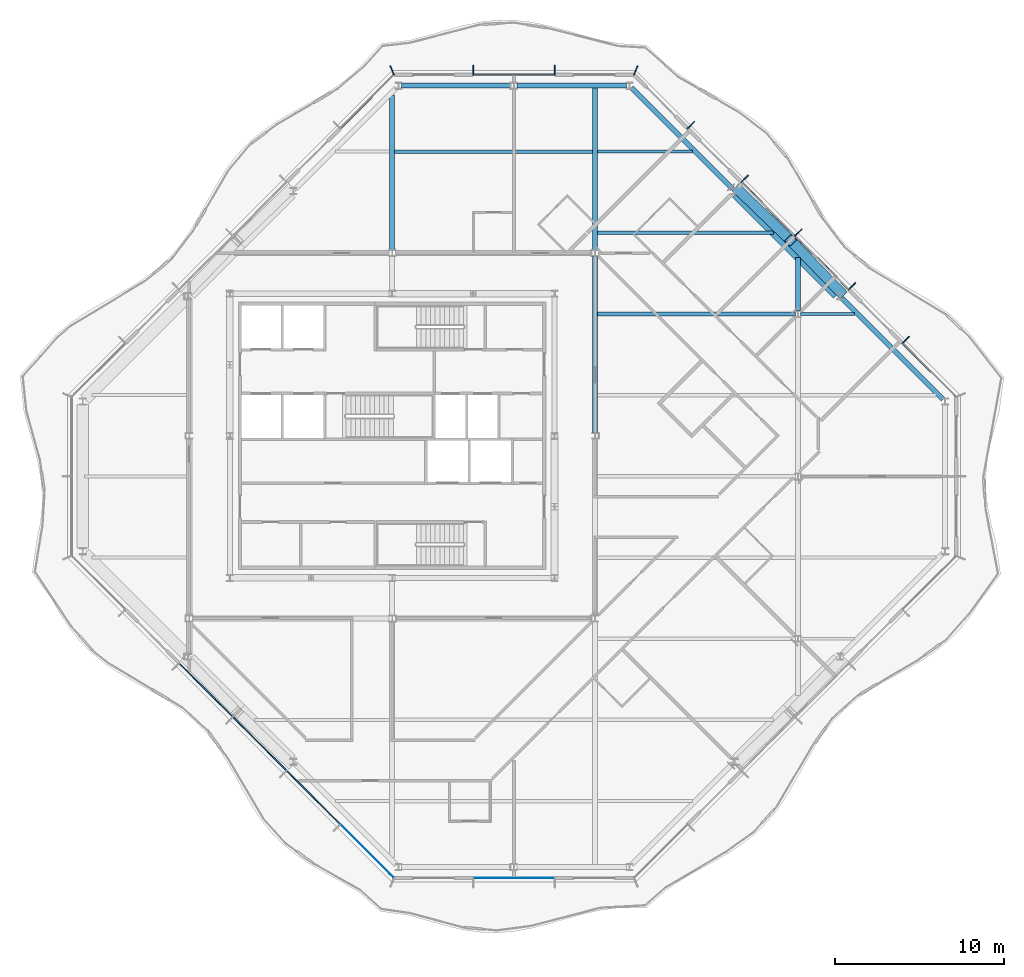
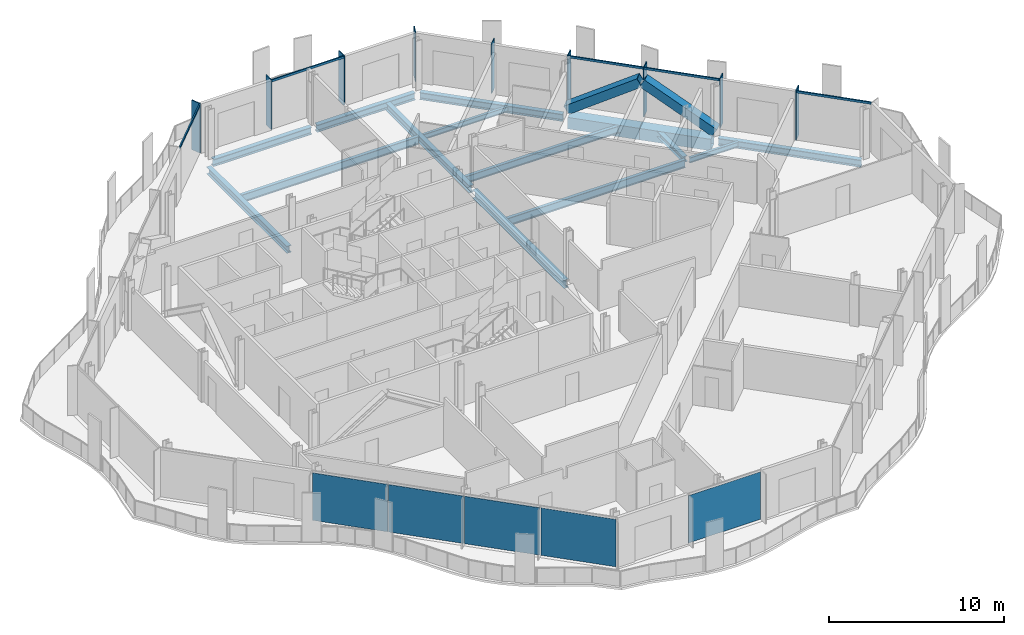
# One storey, part 5 of 16: 16 members, 15 beams, 5 plates, 5 elements without a shape of their own.
"""IFC4 building model written with IfcOpenShell, lengths in metres."""

from ifc_helpers import new_model, si_unit, direction, frame, origin, origin_2d, place, context, subcontext, project, spatial, rectangle, hollow_rectangle, i_section, extrude, material, layer, layer_set, material_profile, profile_set, type_object, element, aggregate, save


model = new_model("IFC4")

# Units and contexts
model_context = context("Model", 3, precision=1e-05, world=origin(), true_north=direction((0.0, 1.0)))
body_context = subcontext(model_context, "Body", "Model", "MODEL_VIEW")
ifc_project = project(units=[si_unit("LENGTHUNIT", "METRE"), si_unit("AREAUNIT", "SQUARE_METRE"), si_unit("VOLUMEUNIT", "CUBIC_METRE"), si_unit("PLANEANGLEUNIT", "RADIAN"), si_unit("MASSUNIT", "GRAM", prefix="KILO")], contexts=[model_context])

# Site, building, storey
site_placement = place(None, origin())
site = spatial("IfcSite", under=ifc_project, at=site_placement, CompositionType="ELEMENT")
building_placement = place(site_placement, origin())
building = spatial("IfcBuilding", under=site, at=building_placement, Name="Cairn Pilgrim Tower", CompositionType="ELEMENT")
storey_placement = place(building_placement, frame((0.0, 0.0, 277.800048828125)))
storey = spatial("IfcBuildingStorey", under=building, at=storey_placement, Name="L71", CompositionType="ELEMENT", Elevation=277.800048828125)

# Members
ifc_material_1 = material(Name="Structural steel S460M", Category="steel")
ifc_material_profile_1 = material_profile(ifc_material_1, hollow_rectangle(XDim=0.60009765625, YDim=0.60009765625, WallThickness=0.034912109375, at=origin_2d()), Name="BOX 600x600x35")
ifc_profile_set_1 = profile_set([ifc_material_profile_1], Name="Structural steel S460M")
member_type_1 = type_object("IfcMemberType", Name="BOX 600x600x35 BRACE", PredefinedType="BRACE", material=ifc_profile_set_1)
member_1_placement = place(storey_placement, frame((33.7919921875, 10.80908203125, 0.14990234375), z_axis=(-0.59249681125, 0.612514905413, 0.523233236048), x_axis=(-0.718754326239, -0.695264135788, 0.0)))
element("IfcMember", 1, at=member_1_placement, inside=storey, type_object=member_type_1, Name="XB-NE2-NE3-1", PredefinedType="BRACE", context=body_context, shape_type="SweptSolid", body=[
    extrude(hollow_rectangle(XDim=0.60009765625, YDim=0.60009765625, WallThickness=0.034912109375, at=origin_2d()), origin(), (0.0, 0.0, 1.0), 5.036865234375),
])
member_2_placement = place(storey_placement, frame((27.609130859375, 16.9921875, 0.14990234375), z_axis=(0.612497315066, -0.592528264357, 0.523218209713), x_axis=(0.695293517132, 0.718725903967, 0.0)))
element("IfcMember", 2, at=member_2_placement, inside=storey, type_object=member_type_1, Name="XB-NE2-NE3-2", PredefinedType="BRACE", context=body_context, shape_type="SweptSolid", body=[
    extrude(hollow_rectangle(XDim=0.60009765625, YDim=0.60009765625, WallThickness=0.034912109375, at=origin_2d()), origin(), (0.0, 0.0, 1.0), 5.037109375),
])

# Beams
ifc_material_2 = material(Name="Structural steel S355J2", Category="steel")
ifc_material_profile_2 = material_profile(ifc_material_2, hollow_rectangle(XDim=0.699951171875, YDim=0.800048828125, WallThickness=0.0400390625, at=origin_2d()), Name="BOX 700x800x40")
ifc_profile_set_2 = profile_set([ifc_material_profile_2], Name="Structural steel S355J2")
beam_type_1 = type_object("IfcBeamType", Name="BOX 700x800x40 RING GIRDER", PredefinedType="SPANDREL", material=ifc_profile_set_2)
for number, where, z_axis, x_axis, name in (
    (3, (33.548828125, 10.7783203125, -0.550048828125), (-0.707077865986, 0.707135695205, 0.0), (-0.707135695205, -0.707077865986, 0.0), "RG4-NE2-NE3-1"),
    (4, (30.563720703125, 13.763671875, -0.550048828125), (-0.707135695205, 0.707077865986, 0.0), (-0.707077865986, -0.707135695205, 0.0), "RG4-NE2-NE3-2"),
):
    element("IfcBeam", number, at=place(storey_placement, frame(where, z_axis=z_axis, x_axis=x_axis)), inside=storey, type_object=beam_type_1, Name=name, PredefinedType="SPANDREL", context=body_context, shape_type="SweptSolid", body=[
        extrude(hollow_rectangle(XDim=0.699951171875, YDim=0.800048828125, WallThickness=0.0400390625, at=origin_2d()), origin(), (0.0, 0.0, 1.0), 4.2216796875),
    ])

# Curtain wall, members
ifc_material_3 = material(Name="Aluminium alloy 6063-T6 bronze anodised with Bronze tinted laminated low-E glass 8+16+8.8", Category="aluminium")
curtain_wall_type = type_object("IfcCurtainWallType", Name="CROWN CURTAIN WALL", PredefinedType="NOTDEFINED", material=ifc_material_3)
curtain_wall_1_placement = place(storey_placement, origin())
curtain_wall_1 = element("IfcCurtainWall", 5, at=curtain_wall_1_placement, inside=storey, type_object=curtain_wall_type, Name="Crown Curtain Wall NE", PredefinedType="NOTDEFINED")
ifc_material_4 = material(Name="Aluminium alloy 6063-T6 bronze anodised", Category="aluminium")
ifc_material_profile_3 = material_profile(ifc_material_4, rectangle(XDim=0.60009765625, YDim=0.06005859375, at=origin_2d()), Name="FIN MULLION 60x600 BRONZE")
ifc_profile_set_3 = profile_set([ifc_material_profile_3], Name="Aluminium alloy 6063-T6 bronze anodised")
member_type_2 = type_object("IfcMemberType", Name="FIN MULLION 60x600 BRONZE", PredefinedType="MULLION", material=ifc_profile_set_3)
member_3_placement = place(storey_placement, frame((37.5654296875, 8.06298828125, 0.0), z_axis=(0.0, 0.0, 1.0), x_axis=(0.707106781187, 0.707106781187, 0.0)))
member_3 = element("IfcMember", 6, at=member_3_placement, type_object=member_type_2, Name="Fin mullion NE2", PredefinedType="MULLION", context=body_context, shape_type="SweptSolid", body=[
    extrude(rectangle(XDim=0.60009765625, YDim=0.06005859375, at=origin_2d()), origin(), (0.0, 0.0, 1.0), 3.449951171875),
])
member_4_placement = place(storey_placement, frame((34.3896484375, 11.238525390625, 0.0), z_axis=(0.0, 0.0, 1.0), x_axis=(0.707106781187, 0.707106781187, 0.0)))
member_4 = element("IfcMember", 7, at=member_4_placement, type_object=member_type_2, Name="Fin mullion NE3", PredefinedType="MULLION", context=body_context, shape_type="SweptSolid", body=[
    extrude(rectangle(XDim=0.60009765625, YDim=0.06005859375, at=origin_2d()), origin(), (0.0, 0.0, 1.0), 3.449951171875),
])
member_5_placement = place(storey_placement, frame((31.214111328125, 14.4140625, 0.0), z_axis=(0.0, 0.0, 1.0), x_axis=(0.707106781187, 0.707106781187, 0.0)))
member_5 = element("IfcMember", 8, at=member_5_placement, type_object=member_type_2, Name="Fin mullion NE4", PredefinedType="MULLION", context=body_context, shape_type="SweptSolid", body=[
    extrude(rectangle(XDim=0.60009765625, YDim=0.06005859375, at=origin_2d()), origin(), (0.0, 0.0, 1.0), 3.449951171875),
])
member_6_placement = place(storey_placement, frame((28.03857421875, 17.58984375, 0.0), z_axis=(0.0, 0.0, 1.0), x_axis=(0.707106781187, 0.707106781187, 0.0)))
member_6 = element("IfcMember", 9, at=member_6_placement, type_object=member_type_2, Name="Fin mullion NE5", PredefinedType="MULLION", context=body_context, shape_type="SweptSolid", body=[
    extrude(rectangle(XDim=0.60009765625, YDim=0.06005859375, at=origin_2d()), origin(), (0.0, 0.0, 1.0), 3.449951171875),
])
member_7_placement = place(storey_placement, frame((24.863037109375, 20.765380859375, 0.0), z_axis=(0.0, 0.0, 1.0), x_axis=(0.707106781187, 0.707106781187, 0.0)))
member_7 = element("IfcMember", 10, at=member_7_placement, type_object=member_type_2, Name="Fin mullion NE6", PredefinedType="MULLION", context=body_context, shape_type="SweptSolid", body=[
    extrude(rectangle(XDim=0.60009765625, YDim=0.06005859375, at=origin_2d()), origin(), (0.0, 0.0, 1.0), 3.449951171875),
])

curtain_wall_2_placement = place(storey_placement, origin())
curtain_wall_2 = element("IfcCurtainWall", 11, at=curtain_wall_2_placement, inside=storey, type_object=curtain_wall_type, Name="Crown Curtain Wall N", PredefinedType="NOTDEFINED")
member_8_placement = place(storey_placement, frame((21.599853515625, 23.99951171875, 0.0), z_axis=(0.0, 0.0, 1.0), x_axis=(0.382683432365, 0.923879532511, 0.0)))
member_8 = element("IfcMember", 12, at=member_8_placement, type_object=member_type_2, Name="Fin mullion N1", PredefinedType="MULLION", context=body_context, shape_type="SweptSolid", body=[
    extrude(rectangle(XDim=0.60009765625, YDim=0.06005859375, at=origin_2d()), origin(), (0.0, 0.0, 1.0), 3.449951171875),
])
member_9_placement = place(storey_placement, frame((16.800048828125, 24.02001953125, 0.0), z_axis=(0.0, 0.0, 1.0), x_axis=(0.0, 1.0, 0.0)))
member_9 = element("IfcMember", 13, at=member_9_placement, type_object=member_type_2, Name="Fin mullion N2", PredefinedType="MULLION", context=body_context, shape_type="SweptSolid", body=[
    extrude(rectangle(XDim=0.60009765625, YDim=0.06005859375, at=origin_2d()), origin(), (0.0, 0.0, 1.0), 3.449951171875),
])
member_10_placement = place(storey_placement, frame((12.0, 24.02001953125, 0.0), z_axis=(0.0, 0.0, 1.0), x_axis=(0.0, 1.0, 0.0)))
member_10 = element("IfcMember", 14, at=member_10_placement, type_object=member_type_2, Name="Fin mullion N3", PredefinedType="MULLION", context=body_context, shape_type="SweptSolid", body=[
    extrude(rectangle(XDim=0.60009765625, YDim=0.06005859375, at=origin_2d()), origin(), (0.0, 0.0, 1.0), 3.449951171875),
])

# Curtain wall, member
curtain_wall_3_placement = place(storey_placement, origin())
curtain_wall_3 = element("IfcCurtainWall", 15, at=curtain_wall_3_placement, inside=storey, type_object=curtain_wall_type, Name="Crown Curtain Wall NW", PredefinedType="NOTDEFINED")
member_11_placement = place(storey_placement, frame((7.2001953125, 23.99951171875, 0.0), z_axis=(0.0, 0.0, 1.0), x_axis=(-0.382683432365, 0.923879532511, 0.0)))
member_11 = element("IfcMember", 16, at=member_11_placement, type_object=member_type_2, Name="Fin mullion NW1", PredefinedType="MULLION", context=body_context, shape_type="SweptSolid", body=[
    extrude(rectangle(XDim=0.60009765625, YDim=0.06005859375, at=origin_2d()), origin(), (0.0, 0.0, 1.0), 3.449951171875),
])

# Beams
ifc_material_profile_4 = material_profile(ifc_material_2, i_section(OverallWidth=0.300048828125, OverallDepth=0.39990234375, WebThickness=0.013427734375, FlangeThickness=0.02392578125, FilletRadius=0.027099609375, at=origin_2d()), Name="HEB 400")
ifc_profile_set_4 = profile_set([ifc_material_profile_4], Name="Structural steel S355J2")
beam_type_2 = type_object("IfcBeamType", Name="HEB 400 GIRDER", PredefinedType="BEAM", material=ifc_profile_set_4)
beam_1_placement = place(storey_placement, frame((31.199951171875, 9.797119140625, -0.35009765625), z_axis=(0.0, 1.0, 0.0), x_axis=(-1.0, 0.0, 0.0)))
element("IfcBeam", 17, at=beam_1_placement, inside=storey, type_object=beam_type_2, Name="PG5-4", PredefinedType="BEAM", context=body_context, shape_type="SweptSolid", body=[
    extrude(i_section(OverallWidth=0.300048828125, OverallDepth=0.39990234375, WebThickness=0.013427734375, FlangeThickness=0.02392578125, FilletRadius=0.027099609375, at=origin_2d()), origin(), (0.0, 0.0, 1.0), 3.14794921875),
])
ifc_material_profile_5 = material_profile(ifc_material_2, i_section(OverallWidth=0.300048828125, OverallDepth=0.5, WebThickness=0.014404296875, FlangeThickness=0.028076171875, FilletRadius=0.027099609375, at=origin_2d()), Name="HEB 500")
ifc_profile_set_5 = profile_set([ifc_material_profile_5], Name="Structural steel S355J2")
beam_type_3 = type_object("IfcBeamType", Name="HEB 500 GIRDER", PredefinedType="BEAM", material=ifc_profile_set_5)
beam_2_placement = place(storey_placement, frame((7.199951171875, 13.39697265625, -0.400146484375), z_axis=(0.0, 1.0, 0.0), x_axis=(-1.0, 0.0, 0.0)))
element("IfcBeam", 18, at=beam_2_placement, inside=storey, type_object=beam_type_3, Name="PG3-2", PredefinedType="BEAM", context=body_context, shape_type="SweptSolid", body=[
    extrude(i_section(OverallWidth=0.300048828125, OverallDepth=0.5, WebThickness=0.014404296875, FlangeThickness=0.028076171875, FilletRadius=0.027099609375, at=origin_2d()), origin(), (0.0, 0.0, 1.0), 9.148193359375),
])
beam_3_placement = place(storey_placement, frame((19.199951171875, 13.39697265625, -0.400146484375), z_axis=(0.0, 1.0, 0.0), x_axis=(-1.0, 0.0, 0.0)))
element("IfcBeam", 19, at=beam_3_placement, inside=storey, type_object=beam_type_3, Name="PG4-4", PredefinedType="BEAM", context=body_context, shape_type="SweptSolid", body=[
    extrude(i_section(OverallWidth=0.300048828125, OverallDepth=0.5, WebThickness=0.014404296875, FlangeThickness=0.028076171875, FilletRadius=0.027099609375, at=origin_2d()), origin(), (0.0, 0.0, 1.0), 9.5830078125),
])
ifc_material_profile_6 = material_profile(ifc_material_2, i_section(OverallWidth=0.300048828125, OverallDepth=0.5, WebThickness=0.014404296875, FlangeThickness=0.028076171875, FilletRadius=0.027099609375, at=origin_2d()), Name="HEB 500")
ifc_profile_set_6 = profile_set([ifc_material_profile_6], Name="Structural steel S355J2")
beam_type_4 = type_object("IfcBeamType", Name="HEB 500 RING GIRDER", PredefinedType="SPANDREL", material=ifc_profile_set_6)
for number, where, z_axis, x_axis, name in (
    (20, (39.77294921875, 4.55419921875, -0.400146484375), (-0.707106781187, 0.707106781187, 0.0), (-0.707106781187, -0.707106781187, 0.0), "RG4-NE1-NE2"),
    (21, (27.324462890625, 17.002685546875, -0.400146484375), (-0.707106781187, 0.707106781187, 0.0), (-0.707106781187, -0.707106781187, 0.0), "RG4-NE3-N1"),
):
    element("IfcBeam", number, at=place(storey_placement, frame(where, z_axis=z_axis, x_axis=x_axis)), inside=storey, type_object=beam_type_4, Name=name, PredefinedType="SPANDREL", context=body_context, shape_type="SweptSolid", body=[
        extrude(i_section(OverallWidth=0.300048828125, OverallDepth=0.5, WebThickness=0.014404296875, FlangeThickness=0.028076171875, FilletRadius=0.027099609375, at=origin_2d()), origin(), (0.0, 0.0, 1.0), 8.443115234375),
    ])
beam_4_placement = place(storey_placement, frame((21.047607421875, 23.10009765625, -0.400146484375), z_axis=(-1.0, 0.0, 0.0), x_axis=(0.0, -1.0, 0.0)))
element("IfcBeam", 22, at=beam_4_placement, inside=storey, type_object=beam_type_4, Name="RG4-N1-N2", PredefinedType="SPANDREL", context=body_context, shape_type="SweptSolid", body=[
    extrude(i_section(OverallWidth=0.300048828125, OverallDepth=0.5, WebThickness=0.014404296875, FlangeThickness=0.028076171875, FilletRadius=0.027099609375, at=origin_2d()), origin(), (0.0, 0.0, 1.0), 6.468017578125),
])
beam_5_placement = place(storey_placement, frame((14.220458984375, 23.10009765625, -0.400146484375), z_axis=(-1.0, 0.0, 0.0), x_axis=(0.0, -1.0, 0.0)))
element("IfcBeam", 23, at=beam_5_placement, inside=storey, type_object=beam_type_4, Name="RG4-N2-NW1", PredefinedType="SPANDREL", context=body_context, shape_type="SweptSolid", body=[
    extrude(i_section(OverallWidth=0.300048828125, OverallDepth=0.5, WebThickness=0.014404296875, FlangeThickness=0.028076171875, FilletRadius=0.027099609375, at=origin_2d()), origin(), (0.0, 0.0, 1.0), 6.46826171875),
])
ifc_material_profile_7 = material_profile(ifc_material_2, i_section(OverallWidth=0.300048828125, OverallDepth=0.60009765625, WebThickness=0.015380859375, FlangeThickness=0.030029296875, FilletRadius=0.027099609375, at=origin_2d()), Name="HEB 600")
ifc_profile_set_7 = profile_set([ifc_material_profile_7], Name="Structural steel S355J2")
beam_type_5 = type_object("IfcBeamType", Name="HEB 600 GIRDER", PredefinedType="BEAM", material=ifc_profile_set_7)
beam_6_placement = place(storey_placement, frame((19.199951171875, 2.596923828125, -0.449951171875), z_axis=(0.0, 1.0, 0.0), x_axis=(-1.0, 0.0, 0.0)))
element("IfcBeam", 24, at=beam_6_placement, inside=storey, type_object=beam_type_5, Name="PG4-3", PredefinedType="BEAM", context=body_context, shape_type="SweptSolid", body=[
    extrude(i_section(OverallWidth=0.300048828125, OverallDepth=0.60009765625, WebThickness=0.015380859375, FlangeThickness=0.030029296875, FilletRadius=0.027099609375, at=origin_2d()), origin(), (0.0, 0.0, 1.0), 10.406005859375),
])
ifc_material_profile_8 = material_profile(ifc_material_2, i_section(OverallWidth=0.169921875, OverallDepth=0.360107421875, WebThickness=0.008056640625, FlangeThickness=0.0126953125, FilletRadius=0.01806640625, at=origin_2d()), Name="IPE 360")
ifc_profile_set_8 = profile_set([ifc_material_profile_8], Name="Structural steel S355J2")
beam_type_6 = type_object("IfcBeamType", Name="IPE 360 SECONDARY BEAM", PredefinedType="JOIST", material=ifc_profile_set_8)
beam_7_placement = place(storey_placement, frame((31.35009765625, 9.60009765625, -0.330078125), z_axis=(1.0, 0.0, 0.0), x_axis=(0.0, 1.0, 0.0)))
element("IfcBeam", 25, at=beam_7_placement, inside=storey, type_object=beam_type_6, Name="SB7-2", PredefinedType="JOIST", context=body_context, shape_type="SweptSolid", body=[
    extrude(i_section(OverallWidth=0.169921875, OverallDepth=0.360107421875, WebThickness=0.008056640625, FlangeThickness=0.0126953125, FilletRadius=0.01806640625, at=origin_2d()), origin(), (0.0, 0.0, 1.0), 3.195068359375),
])
beam_8_placement = place(storey_placement, frame((19.35009765625, 19.199951171875, -0.330078125), z_axis=(1.0, 0.0, 0.0), x_axis=(0.0, 1.0, 0.0)))
element("IfcBeam", 26, at=beam_8_placement, inside=storey, type_object=beam_type_6, Name="SB9-3", PredefinedType="JOIST", context=body_context, shape_type="SweptSolid", body=[
    extrude(i_section(OverallWidth=0.169921875, OverallDepth=0.360107421875, WebThickness=0.008056640625, FlangeThickness=0.0126953125, FilletRadius=0.01806640625, at=origin_2d()), origin(), (0.0, 0.0, 1.0), 5.594970703125),
])
ifc_material_profile_9 = material_profile(ifc_material_2, i_section(OverallWidth=0.199951171875, OverallDepth=0.5, WebThickness=0.01025390625, FlangeThickness=0.01611328125, FilletRadius=0.02099609375, at=origin_2d()), Name="IPE 500")
ifc_profile_set_9 = profile_set([ifc_material_profile_9], Name="Structural steel S355J2")
beam_type_7 = type_object("IfcBeamType", Name="IPE 500 SECONDARY BEAM", PredefinedType="JOIST", material=ifc_profile_set_9)
beam_9_placement = place(storey_placement, frame((19.35009765625, 14.39990234375, -0.400146484375), z_axis=(1.0, 0.0, 0.0), x_axis=(0.0, 1.0, 0.0)))
element("IfcBeam", 27, at=beam_9_placement, inside=storey, type_object=beam_type_7, Name="SB8-1", PredefinedType="JOIST", context=body_context, shape_type="SweptSolid", body=[
    extrude(i_section(OverallWidth=0.199951171875, OverallDepth=0.5, WebThickness=0.01025390625, FlangeThickness=0.01611328125, FilletRadius=0.02099609375, at=origin_2d()), origin(), (0.0, 0.0, 1.0), 10.39501953125),
])
ifc_material_profile_10 = material_profile(ifc_material_2, i_section(OverallWidth=0.2099609375, OverallDepth=0.550048828125, WebThickness=0.010986328125, FlangeThickness=0.01708984375, FilletRadius=0.02392578125, at=origin_2d()), Name="IPE 550")
ifc_profile_set_10 = profile_set([ifc_material_profile_10], Name="Structural steel S355J2")
beam_type_8 = type_object("IfcBeamType", Name="IPE 550 SECONDARY BEAM", PredefinedType="JOIST", material=ifc_profile_set_10)
for number, where, z_axis, x_axis, name in (
    (28, (19.35009765625, 9.60009765625, -0.425048828125), (1.0, 0.0, 0.0), (0.0, 1.0, 0.0), "SB7-1"),
    (29, (7.35009765625, 19.199951171875, -0.425048828125), (1.0, 0.0, 0.0), (0.0, 1.0, 0.0), "SB9-2"),
):
    element("IfcBeam", number, at=place(storey_placement, frame(where, z_axis=z_axis, x_axis=x_axis)), inside=storey, type_object=beam_type_8, Name=name, PredefinedType="JOIST", context=body_context, shape_type="SweptSolid", body=[
        extrude(i_section(OverallWidth=0.2099609375, OverallDepth=0.550048828125, WebThickness=0.010986328125, FlangeThickness=0.01708984375, FilletRadius=0.02392578125, at=origin_2d()), origin(), (0.0, 0.0, 1.0), 11.699951171875),
    ])

# Member
ifc_material_profile_11 = material_profile(ifc_material_4, rectangle(XDim=0.080078125, YDim=0.14990234375, at=origin_2d()), Name="TRANSOM 80x150 BRONZE")
ifc_profile_set_11 = profile_set([ifc_material_profile_11], Name="Aluminium alloy 6063-T6 bronze anodised")
member_type_3 = type_object("IfcMemberType", Name="TRANSOM 80x150 BRONZE", PredefinedType="USERDEFINED", material=ifc_profile_set_11)
member_12_placement = place(storey_placement, frame((40.521728515625, 4.724609375, 3.375), z_axis=(-0.707106781187, 0.707106781187, 0.0), x_axis=(-0.707106781187, -0.707106781187, 0.0)))
member_12 = element("IfcMember", 30, at=member_12_placement, type_object=member_type_3, Name="Transom NE1", ObjectType="TRANSOM", PredefinedType="USERDEFINED", context=body_context, shape_type="SweptSolid", body=[
    extrude(rectangle(XDim=0.080078125, YDim=0.14990234375, at=origin_2d()), origin(), (0.0, 0.0, 1.0), 4.421142578125),
])

member_13_placement = place(storey_placement, frame((34.177490234375, 11.06884765625, 3.375), z_axis=(-0.707106781187, 0.707106781187, 0.0), x_axis=(-0.707106781187, -0.707106781187, 0.0)))
member_13 = element("IfcMember", 31, at=member_13_placement, type_object=member_type_3, Name="Transom NE3", ObjectType="TRANSOM", PredefinedType="USERDEFINED", context=body_context, shape_type="SweptSolid", body=[
    extrude(rectangle(XDim=0.080078125, YDim=0.14990234375, at=origin_2d()), origin(), (0.0, 0.0, 1.0), 4.430908203125),
])

member_14_placement = place(storey_placement, frame((31.001953125, 14.244384765625, 3.375), z_axis=(-0.707079231393, 0.707134329907, 0.0), x_axis=(-0.707134329907, -0.707079231393, 0.0)))
member_14 = element("IfcMember", 32, at=member_14_placement, type_object=member_type_3, Name="Transom NE4", ObjectType="TRANSOM", PredefinedType="USERDEFINED", context=body_context, shape_type="SweptSolid", body=[
    extrude(rectangle(XDim=0.080078125, YDim=0.14990234375, at=origin_2d()), origin(), (0.0, 0.0, 1.0), 4.430908203125),
])

aggregate(curtain_wall_1, [member_3, member_4, member_5, member_6, member_7, member_12, member_13, member_14])

member_15_placement = place(storey_placement, frame((16.77001953125, 23.75, 3.375), z_axis=(-1.0, 0.0, 0.0), x_axis=(0.0, -1.0, 0.0)))
member_15 = element("IfcMember", 33, at=member_15_placement, type_object=member_type_3, Name="Transom N2", ObjectType="TRANSOM", PredefinedType="USERDEFINED", context=body_context, shape_type="SweptSolid", body=[
    extrude(rectangle(XDim=0.080078125, YDim=0.14990234375, at=origin_2d()), origin(), (0.0, 0.0, 1.0), 4.739990234375),
])

aggregate(curtain_wall_2, [member_8, member_9, member_10, member_15])

member_16_placement = place(storey_placement, frame((7.275390625, 23.7216796875, 3.375), z_axis=(-0.707134392299, -0.707079168996, 0.0), x_axis=(0.707079168996, -0.707134392299, 0.0)))
member_16 = element("IfcMember", 34, at=member_16_placement, type_object=member_type_3, Name="Transom NW1", ObjectType="TRANSOM", PredefinedType="USERDEFINED", context=body_context, shape_type="SweptSolid", body=[
    extrude(rectangle(XDim=0.080078125, YDim=0.14990234375, at=origin_2d()), origin(), (0.0, 0.0, 1.0), 4.4208984375),
])

aggregate(curtain_wall_3, [member_11, member_16])

# Curtain wall, plates
curtain_wall_4_placement = place(storey_placement, origin())
curtain_wall_4 = element("IfcCurtainWall", 35, at=curtain_wall_4_placement, inside=storey, type_object=curtain_wall_type, Name="Crown Curtain Wall SW", PredefinedType="NOTDEFINED")
ifc_material_5 = material(Name="Bronze anodised aluminium spandrel panel with mineral wool insulation", Category="aluminium")
ifc_layer_1 = layer(ifc_material_5, 0.06005859375)
ifc_layer_set_1 = layer_set([ifc_layer_1], Name="SPANDREL PANEL 4431x3300")
plate_type_1 = type_object("IfcPlateType", Name="SPANDREL PANEL 4431x3300", PredefinedType="CURTAIN_PANEL", material=ifc_layer_set_1)
plate_1_placement = place(storey_placement, frame((-3.81103515625, -12.635498046875, 0.0), z_axis=(0.0, 0.0, 1.0), x_axis=(0.707106781187, -0.707106781187, 0.0)))
plate_1 = element("IfcPlate", 36, at=plate_1_placement, type_object=plate_type_1, Name="Spandrel Panel SW3-1", PredefinedType="CURTAIN_PANEL", context=body_context, shape_type="SweptSolid", body=[
    extrude(rectangle(XDim=4.430908203125, YDim=0.06005859375, at=origin_2d()), origin(), (0.0, 0.0, 1.0), 3.300048828125),
])
plate_2_placement = place(storey_placement, frame((-0.635498046875, -15.81103515625, 0.0), z_axis=(0.0, 0.0, 1.0), x_axis=(0.707106781187, -0.707106781187, 0.0)))
plate_2 = element("IfcPlate", 37, at=plate_2_placement, type_object=plate_type_1, Name="Spandrel Panel SW4-1", PredefinedType="CURTAIN_PANEL", context=body_context, shape_type="SweptSolid", body=[
    extrude(rectangle(XDim=4.430908203125, YDim=0.06005859375, at=origin_2d()), origin(), (0.0, 0.0, 1.0), 3.300048828125),
])
plate_3_placement = place(storey_placement, frame((2.540283203125, -18.986572265625, 0.0), z_axis=(0.0, 0.0, 1.0), x_axis=(0.707106781187, -0.707106781187, 0.0)))
plate_3 = element("IfcPlate", 38, at=plate_3_placement, type_object=plate_type_1, Name="Spandrel Panel SW5-1", PredefinedType="CURTAIN_PANEL", context=body_context, shape_type="SweptSolid", body=[
    extrude(rectangle(XDim=4.430908203125, YDim=0.06005859375, at=origin_2d()), origin(), (0.0, 0.0, 1.0), 3.300048828125),
])
ifc_material_6 = material(Name="Bronze tinted laminated low-E glass 8+16+8.8", Category="glass")
ifc_layer_2 = layer(ifc_material_6, 0.033935546875)
ifc_layer_set_2 = layer_set([ifc_layer_2], Name="VISION GLAZING 4421x3300")
plate_type_2 = type_object("IfcPlateType", Name="VISION GLAZING 4421x3300", PredefinedType="CURTAIN_PANEL", material=ifc_layer_set_2)
plate_4_placement = place(storey_placement, frame((5.712158203125, -22.15869140625, 0.0), z_axis=(0.0, 0.0, 1.0), x_axis=(0.707106781187, -0.707106781187, 0.0)))
plate_4 = element("IfcPlate", 39, at=plate_4_placement, type_object=plate_type_2, Name="Vision Glazing SW6-1", PredefinedType="CURTAIN_PANEL", context=body_context, shape_type="SweptSolid", body=[
    extrude(rectangle(XDim=4.4208984375, YDim=0.033935546875, at=origin_2d()), origin(), (0.0, 0.0, 1.0), 3.300048828125),
])
aggregate(curtain_wall_4, [plate_1, plate_2, plate_3, plate_4])

# Curtain wall, plate
curtain_wall_5_placement = place(storey_placement, origin())
curtain_wall_5 = element("IfcCurtainWall", 40, at=curtain_wall_5_placement, inside=storey, type_object=curtain_wall_type, Name="Crown Curtain Wall S", PredefinedType="NOTDEFINED")
ifc_layer_3 = layer(ifc_material_6, 0.033935546875)
ifc_layer_set_3 = layer_set([ifc_layer_3], Name="VISION GLAZING 4740x3300")
plate_type_3 = type_object("IfcPlateType", Name="VISION GLAZING 4740x3300", PredefinedType="CURTAIN_PANEL", material=ifc_layer_set_3)
plate_5_placement = place(storey_placement, frame((14.39990234375, -23.75, 0.0), z_axis=(0.0, 0.0, 1.0), x_axis=(1.0, 0.0, 0.0)))
plate_5 = element("IfcPlate", 41, at=plate_5_placement, type_object=plate_type_3, Name="Vision Glazing S2-1", PredefinedType="CURTAIN_PANEL", context=body_context, shape_type="SweptSolid", body=[
    extrude(rectangle(XDim=4.739990234375, YDim=0.033935546875, at=origin_2d()), origin(), (0.0, 0.0, 1.0), 3.300048828125),
])
aggregate(curtain_wall_5, [plate_5])

save(model, "model.ifc")
